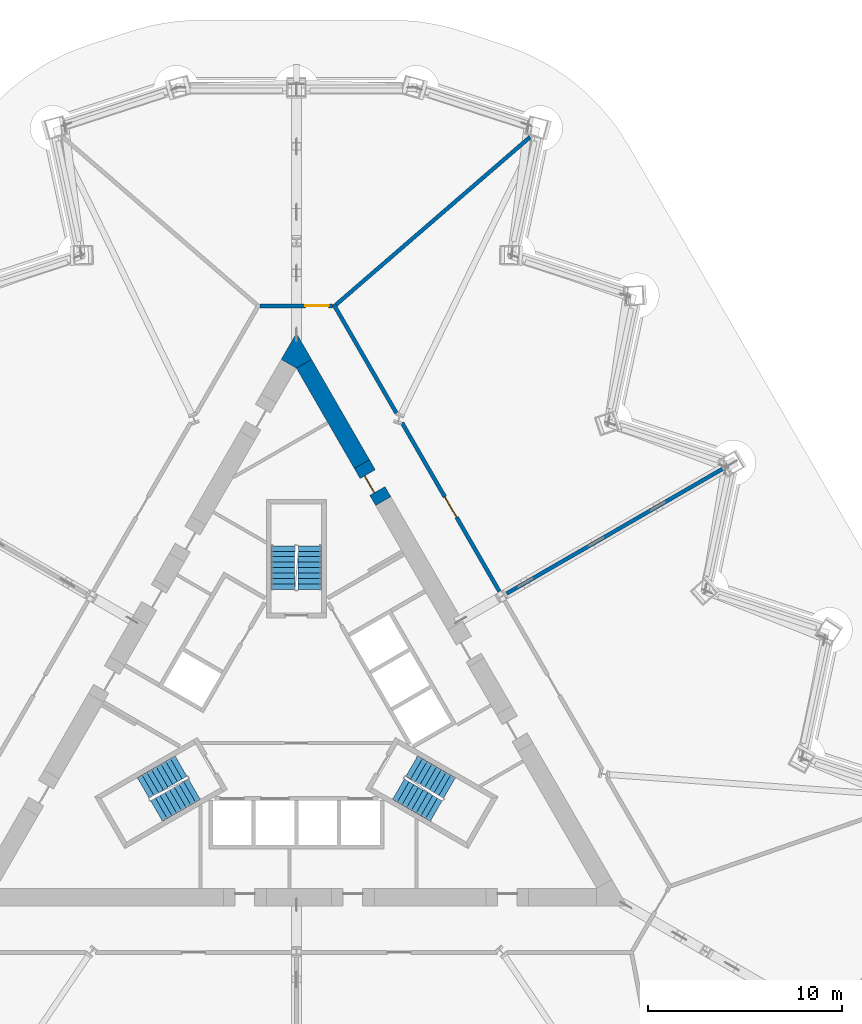
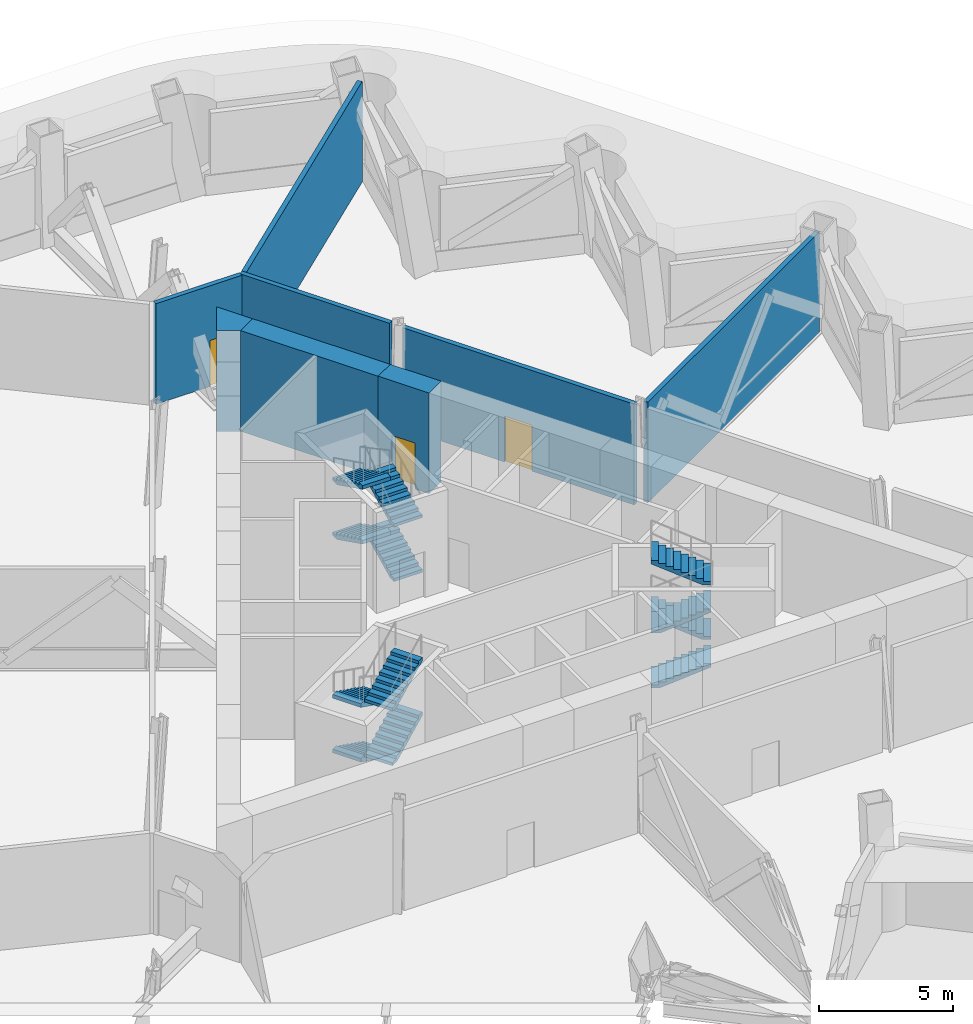
# One storey, part 7 of 14: 12 stair flights, 8 walls, 3 doors, 3 openings, 3 elements without a shape of their own.
"""IFC4 building model written with IfcOpenShell, lengths in metres."""

from ifc_helpers import new_model, si_unit, direction, frame, frame_2d, origin, place, context, subcontext, project, spatial, polyline, rectangle, outline, extrude, material, layer, layer_set, type_object, element, fill, aggregate, save


model = new_model("IFC4")

# Units and contexts
model_context = context("Model", 3, precision=1e-05, world=origin(), true_north=direction((0.0, 1.0)))
body_context = subcontext(model_context, "Body", "Model", "MODEL_VIEW")
ifc_project = project(units=[si_unit("LENGTHUNIT", "METRE"), si_unit("AREAUNIT", "SQUARE_METRE"), si_unit("VOLUMEUNIT", "CUBIC_METRE"), si_unit("PLANEANGLEUNIT", "RADIAN"), si_unit("MASSUNIT", "GRAM", prefix="KILO")], contexts=[model_context])

# Site, building, storey
site_placement = place(None, origin())
site = spatial("IfcSite", under=ifc_project, at=site_placement, CompositionType="ELEMENT")
building_placement = place(site_placement, origin())
building = spatial("IfcBuilding", under=site, at=building_placement, Name="Cormorant Prow Tower", CompositionType="ELEMENT")
storey_placement = place(building_placement, frame((0.0, 0.0, 94.60009765625)))
storey = spatial("IfcBuildingStorey", under=building, at=storey_placement, Name="L19", CompositionType="ELEMENT", Elevation=94.60009765625)

# Walls
ifc_material_1 = material(Name="Concrete 8000 psi", Category="concrete")
ifc_layer_1 = layer(ifc_material_1, 0.89990234375)
ifc_layer_set_1 = layer_set([ifc_layer_1], Name="Concrete 8000 psi")
wall_type_1 = type_object("IfcWallType", Name="Core shear wall 900", PredefinedType="SHEAR", material=ifc_layer_set_1)
wall_1_placement = place(storey_placement, frame((3.365478515625, 12.900390625, 0.0), z_axis=(0.0, 0.0, 1.0), x_axis=(-0.499981657175, 0.86603599376, 0.0)))
element("IfcWall", 1, at=wall_1_placement, inside=storey, type_object=wall_type_1, Name="Core wall", PredefinedType="SHEAR", context=body_context, shape_type="SweptSolid", body=[
    extrude(rectangle(XDim=5.951904296875, YDim=0.89990234375, at=frame_2d((2.97607421875, 0.0))), origin(), (0.0, 0.0, 1.0), 4.599853515625),
])
wall_2_placement = place(storey_placement, origin())
element("IfcWall", 2, at=wall_2_placement, inside=storey, type_object=wall_type_1, Name="Core wall corner", PredefinedType="SHEAR", context=body_context, shape_type="SweptSolid", body=[
    extrude(outline(polyline([(-0.779296875, 18.27978515625), (0.0, 19.6298828125), (0.779296875, 18.27978515625), (0.0, 17.829833984375), (-0.779296875, 18.27978515625)])), origin(), (0.0, 0.0, 1.0), 4.599853515625),
])

# Wall, opening, door
wall_3_placement = place(storey_placement, frame((4.465576171875, 10.995361328125, 0.0), z_axis=(0.0, 0.0, 1.0), x_axis=(-0.500077893725, 0.86598042715, 0.0)))
wall_3 = element("IfcWall", 3, at=wall_3_placement, inside=storey, type_object=wall_type_1, Name="Core wall door panel", PredefinedType="SHEAR", context=body_context, shape_type="SweptSolid", body=[
    extrude(rectangle(XDim=2.199951171875, YDim=0.89990234375, at=frame_2d((1.10009765625, 0.0))), origin(), (0.0, 0.0, 1.0), 4.599853515625),
])
opening_1_placement = place(wall_3_placement, frame((0.60009765625, 0.0, 0.0)))
opening_1 = element("IfcOpeningElement", 4, at=opening_1_placement, cuts=wall_3, Name="Opening L19-C18", PredefinedType="OPENING", context=body_context, shape_type="SweptSolid", body=[
    extrude(rectangle(XDim=1.0, YDim=2.10009765625, at=frame_2d((0.5, 1.050048828125))), frame((0.0, 0.4599609375, 0.0), z_axis=(0.0, -1.0, 0.0), x_axis=(1.0, 0.0, 0.0)), (0.0, 0.0, 1.0), 0.919921875),
])
ifc_material_2 = material(Name="Painted steel", Category="steel")
door_type_1 = type_object("IfcDoorType", Name="Service door 1000x2100", OperationType="NOTDEFINED", PredefinedType="DOOR", material=ifc_material_2)
door_1_placement = place(opening_1_placement, origin())
door_1 = element("IfcDoor", 5, at=door_1_placement, inside=storey, type_object=door_type_1, Name="Core door, Plant maintenance store", OperationType="SINGLE_SWING_LEFT", OverallHeight=2.10009765625, OverallWidth=1.0, PredefinedType="DOOR", context=body_context, shape_type="SweptSolid", body=[
    extrude(rectangle(XDim=1.0, YDim=2.10009765625, at=frame_2d((0.5, 1.050048828125))), frame((0.0, 0.205078125, 0.0), z_axis=(0.0, -1.0, 0.0), x_axis=(1.0, 0.0, 0.0)), (0.0, 0.0, 1.0), 0.050048828125),
])
fill(opening_1, door_1)

ifc_material_3 = material(Name="Gypsum board corridor wall")
ifc_layer_2 = layer(ifc_material_3, 0.199951171875)
ifc_layer_set_2 = layer_set([ifc_layer_2], Name="Gypsum board corridor wall")
wall_type_2 = type_object("IfcWallType", Name="Corridor wall 200", PredefinedType="PARTITIONING", material=ifc_layer_set_2)
wall_4_placement = place(storey_placement, frame((5.42919921875, 15.0263671875, 0.0), z_axis=(0.0, 0.0, 1.0), x_axis=(0.50001002959, -0.86601961312, 0.0)))
wall_4 = element("IfcWall", 6, at=wall_4_placement, inside=storey, type_object=wall_type_2, Name="Corridor wall", PredefinedType="PARTITIONING", context=body_context, shape_type="SweptSolid", body=[
    extrude(rectangle(XDim=10.018798828125, YDim=0.199951171875, at=frame_2d((5.00927734375, 0.0))), origin(), (0.0, 0.0, 1.0), 4.599853515625),
])
opening_2_placement = place(wall_4_placement, frame((4.409423828125, 0.0, 0.0)))
opening_2 = element("IfcOpeningElement", 7, at=opening_2_placement, cuts=wall_4, Name="Opening L19-F08", PredefinedType="OPENING", context=body_context, shape_type="SweptSolid", body=[
    extrude(rectangle(XDim=1.199951171875, YDim=2.10009765625, at=frame_2d((0.60009765625, 1.050048828125))), frame((0.0, 0.10986328125, 0.0), z_axis=(0.0, -1.0, 0.0), x_axis=(1.0, 0.0, 0.0)), (0.0, 0.0, 1.0), 0.219970703125),
])
ifc_material_4 = material(Name="Timber door leaf", Category="wood")
door_type_2 = type_object("IfcDoorType", Name="Plant room door 1200x2100", OperationType="NOTDEFINED", PredefinedType="DOOR", material=ifc_material_4)
door_2_placement = place(opening_2_placement, origin())
door_2 = element("IfcDoor", 8, at=door_2_placement, inside=storey, type_object=door_type_2, Name="Pump and tank room door", OperationType="SINGLE_SWING_RIGHT", OverallHeight=2.10009765625, OverallWidth=1.199951171875, PredefinedType="DOOR", context=body_context, shape_type="SweptSolid", body=[
    extrude(rectangle(XDim=1.199951171875, YDim=2.10009765625, at=frame_2d((0.60009765625, 1.050048828125))), frame((0.0, 0.02490234375, 0.0), z_axis=(0.0, -1.0, 0.0), x_axis=(1.0, 0.0, 0.0)), (0.0, 0.0, 1.0), 0.050048828125),
])
fill(opening_2, door_2)

# Wall
wall_5_placement = place(storey_placement, frame((1.9130859375, 21.116455078125, 0.0), z_axis=(0.0, 0.0, 1.0), x_axis=(0.500001069878, -0.866024786089, 0.0)))
element("IfcWall", 9, at=wall_5_placement, inside=storey, type_object=wall_type_2, Name="Corridor wall", PredefinedType="PARTITIONING", context=body_context, shape_type="SweptSolid", body=[
    extrude(rectangle(XDim=6.47265625, YDim=0.199951171875, at=frame_2d((3.236328125, 0.0))), origin(), (0.0, 0.0, 1.0), 4.599853515625),
])

# Wall, opening, door
wall_6_placement = place(storey_placement, frame((-1.863037109375, 21.02978515625, 0.0), z_axis=(0.0, 0.0, 1.0), x_axis=(1.0, 0.0, 0.0)))
wall_6 = element("IfcWall", 10, at=wall_6_placement, inside=storey, type_object=wall_type_2, Name="Corridor wall", PredefinedType="PARTITIONING", context=body_context, shape_type="SweptSolid", body=[
    extrude(rectangle(XDim=3.72607421875, YDim=0.199951171875, at=frame_2d((1.863037109375, 0.0))), origin(), (0.0, 0.0, 1.0), 4.599853515625),
])
opening_3_placement = place(wall_6_placement, frame((2.324951171875, 0.0, 0.0)))
opening_3 = element("IfcOpeningElement", 11, at=opening_3_placement, cuts=wall_6, Name="Opening L19-F09", PredefinedType="OPENING", context=body_context, shape_type="SweptSolid", body=[
    extrude(rectangle(XDim=1.199951171875, YDim=2.10009765625, at=frame_2d((0.60009765625, 1.050048828125))), frame((0.0, 0.10986328125, 0.0), z_axis=(0.0, -1.0, 0.0), x_axis=(1.0, 0.0, 0.0)), (0.0, 0.0, 1.0), 0.219970703125),
])
door_3_placement = place(opening_3_placement, origin())
door_3 = element("IfcDoor", 12, at=door_3_placement, inside=storey, type_object=door_type_2, Name="Electrical switch room door", OperationType="SINGLE_SWING_RIGHT", OverallHeight=2.10009765625, OverallWidth=1.199951171875, PredefinedType="DOOR", context=body_context, shape_type="SweptSolid", body=[
    extrude(rectangle(XDim=1.199951171875, YDim=2.10009765625, at=frame_2d((0.60009765625, 1.050048828125))), frame((0.0, 0.02490234375, 0.0), z_axis=(0.0, -1.0, 0.0), x_axis=(1.0, 0.0, 0.0)), (0.0, 0.0, 1.0), 0.050048828125),
])
fill(opening_3, door_3)

# Walls
ifc_material_5 = material(Name="Gypsum board demising wall")
ifc_layer_3 = layer(ifc_material_5, 0.199951171875)
ifc_layer_set_3 = layer_set([ifc_layer_3], Name="Gypsum board demising wall")
wall_type_3 = type_object("IfcWallType", Name="Demising wall 200", PredefinedType="PARTITIONING", material=ifc_layer_set_3)
wall_7_placement = place(storey_placement, frame((2.038818359375, 21.09521484375, 0.0), z_axis=(0.0, 0.0, 1.0), x_axis=(0.756656024203, 0.653813169826, 0.0)))
element("IfcWall", 13, at=wall_7_placement, inside=storey, type_object=wall_type_3, Name="Demising wall", PredefinedType="PARTITIONING", context=body_context, shape_type="SweptSolid", body=[
    extrude(rectangle(XDim=13.184814453125, YDim=0.199951171875, at=frame_2d((6.59228515625, 0.0))), origin(), (0.0, 0.0, 1.0), 4.599853515625),
])
wall_8_placement = place(storey_placement, frame((10.82080078125, 6.247314453125, 0.0), z_axis=(0.0, 0.0, 1.0), x_axis=(0.866026729935, 0.499997703033, 0.0)))
element("IfcWall", 14, at=wall_8_placement, inside=storey, type_object=wall_type_3, Name="Demising wall", PredefinedType="PARTITIONING", context=body_context, shape_type="SweptSolid", body=[
    extrude(rectangle(XDim=12.84765625, YDim=0.199951171875, at=frame_2d((6.423828125, 0.0))), origin(), (0.0, 0.0, 1.0), 4.599853515625),
])

# Stair, stair flights
ifc_material_6 = material(Name="Exit stair 36 risers")
stair_type = type_object("IfcStairType", Name="Exit stair 36 risers", PredefinedType="HALF_TURN_STAIR", material=ifc_material_6)
stair_1_placement = place(storey_placement, origin())
stair_1 = element("IfcStair", 15, at=stair_1_placement, inside=storey, type_object=stair_type, Name="L19 Exit stair ST1", PredefinedType="HALF_TURN_STAIR")
ifc_material_7 = material(Name="Concrete 5000 psi", Category="concrete")
stair_flight_type = type_object("IfcStairFlightType", Name="Stair flight 1219", PredefinedType="STRAIGHT", material=ifc_material_7)
stair_flight_1_placement = place(storey_placement, frame((-5.93310546875, -2.635009765625, 0.0), z_axis=(0.0, 0.0, 1.0), x_axis=(-0.866025403784, -0.5, 0.0)))
stair_flight_1 = element("IfcStairFlight", 16, at=stair_flight_1_placement, type_object=stair_flight_type, Name="ST1 flight 1", NumberOfRisers=9, NumberOfTreads=8, PredefinedType="STRAIGHT", RiserHeight=0.138888889, TreadLength=0.28, context=body_context, shape_type="SweptSolid", body=[
    extrude(outline(polyline([(0.0, 0.0), (0.0, 0.138916015625), (0.280029296875, 0.138916015625), (0.280029296875, 0.27783203125), (0.56005859375, 0.27783203125), (0.56005859375, 0.416748046875), (0.840087890625, 0.416748046875), (0.840087890625, 0.5556640625), (1.1201171875, 0.5556640625), (1.1201171875, 0.6943359375), (1.39990234375, 0.6943359375), (1.39990234375, 0.833251953125), (1.679931640625, 0.833251953125), (1.679931640625, 0.97216796875), (1.9599609375, 0.97216796875), (1.9599609375, 1.111083984375), (2.239990234375, 1.111083984375), (2.239990234375, 1.25), (2.239990234375, 0.94384765625), (0.33740234375, 0.0), (0.0, 0.0)])), frame((0.0, 0.609375, 0.0), z_axis=(0.0, -1.0, 0.0), x_axis=(1.0, 0.0, 0.0)), (0.0, 0.0, 1.0), 1.218994140625),
])
stair_flight_2_placement = place(storey_placement, frame((-7.1884765625, -4.940673828125, 1.25), z_axis=(0.0, 0.0, 1.0), x_axis=(0.866025403784, 0.5, 0.0)))
stair_flight_2 = element("IfcStairFlight", 17, at=stair_flight_2_placement, type_object=stair_flight_type, Name="ST1 flight 2", NumberOfRisers=9, NumberOfTreads=8, PredefinedType="STRAIGHT", RiserHeight=0.138888889, TreadLength=0.28, context=body_context, shape_type="SweptSolid", body=[
    extrude(outline(polyline([(0.0, 0.0), (0.0, 0.138916015625), (0.280029296875, 0.138916015625), (0.280029296875, 0.27783203125), (0.56005859375, 0.27783203125), (0.56005859375, 0.416748046875), (0.840087890625, 0.416748046875), (0.840087890625, 0.5556640625), (1.1201171875, 0.5556640625), (1.1201171875, 0.6943359375), (1.39990234375, 0.6943359375), (1.39990234375, 0.833251953125), (1.679931640625, 0.833251953125), (1.679931640625, 0.97216796875), (1.9599609375, 0.97216796875), (1.9599609375, 1.111083984375), (2.239990234375, 1.111083984375), (2.239990234375, 1.25), (2.239990234375, 0.94384765625), (0.33740234375, 0.0), (0.0, 0.0)])), frame((0.0, 0.609375, 0.0), z_axis=(0.0, -1.0, 0.0), x_axis=(1.0, 0.0, 0.0)), (0.0, 0.0, 1.0), 1.218994140625),
])
stair_flight_3_placement = place(storey_placement, frame((-5.93310546875, -2.635009765625, 2.5), z_axis=(0.0, 0.0, 1.0), x_axis=(-0.866025403784, -0.5, 0.0)))
stair_flight_3 = element("IfcStairFlight", 18, at=stair_flight_3_placement, type_object=stair_flight_type, Name="ST1 flight 3", NumberOfRisers=9, NumberOfTreads=8, PredefinedType="STRAIGHT", RiserHeight=0.138888889, TreadLength=0.28, context=body_context, shape_type="SweptSolid", body=[
    extrude(outline(polyline([(0.0, 0.0), (0.0, 0.138916015625), (0.280029296875, 0.138916015625), (0.280029296875, 0.27783203125), (0.56005859375, 0.27783203125), (0.56005859375, 0.416748046875), (0.840087890625, 0.416748046875), (0.840087890625, 0.5556640625), (1.1201171875, 0.5556640625), (1.1201171875, 0.6943359375), (1.39990234375, 0.6943359375), (1.39990234375, 0.833251953125), (1.679931640625, 0.833251953125), (1.679931640625, 0.97216796875), (1.9599609375, 0.97216796875), (1.9599609375, 1.111083984375), (2.239990234375, 1.111083984375), (2.239990234375, 1.25), (2.239990234375, 0.94384765625), (0.33740234375, 0.0), (0.0, 0.0)])), frame((0.0, 0.609375, 0.0), z_axis=(0.0, -1.0, 0.0), x_axis=(1.0, 0.0, 0.0)), (0.0, 0.0, 1.0), 1.218994140625),
])
stair_flight_4_placement = place(storey_placement, frame((-7.1884765625, -4.940673828125, 3.75), z_axis=(0.0, 0.0, 1.0), x_axis=(0.866025403784, 0.5, 0.0)))
stair_flight_4 = element("IfcStairFlight", 19, at=stair_flight_4_placement, type_object=stair_flight_type, Name="ST1 flight 4", NumberOfRisers=9, NumberOfTreads=8, PredefinedType="STRAIGHT", RiserHeight=0.138888889, TreadLength=0.28, context=body_context, shape_type="SweptSolid", body=[
    extrude(outline(polyline([(0.0, 0.0), (0.0, 0.138916015625), (0.280029296875, 0.138916015625), (0.280029296875, 0.27783203125), (0.56005859375, 0.27783203125), (0.56005859375, 0.416748046875), (0.840087890625, 0.416748046875), (0.840087890625, 0.5556640625), (1.1201171875, 0.5556640625), (1.1201171875, 0.6943359375), (1.39990234375, 0.6943359375), (1.39990234375, 0.833251953125), (1.679931640625, 0.833251953125), (1.679931640625, 0.97216796875), (1.9599609375, 0.97216796875), (1.9599609375, 1.111083984375), (2.239990234375, 1.111083984375), (2.239990234375, 1.25), (2.239990234375, 0.94384765625), (0.33740234375, 0.0), (0.0, 0.0)])), frame((0.0, 0.609375, 0.0), z_axis=(0.0, -1.0, 0.0), x_axis=(1.0, 0.0, 0.0)), (0.0, 0.0, 1.0), 1.218994140625),
])
aggregate(stair_1, [stair_flight_1, stair_flight_2, stair_flight_3, stair_flight_4])

stair_2_placement = place(storey_placement, origin())
stair_2 = element("IfcStair", 20, at=stair_2_placement, inside=storey, type_object=stair_type, Name="L19 Exit stair ST2", PredefinedType="HALF_TURN_STAIR")
stair_flight_5_placement = place(storey_placement, frame((5.24853515625, -3.82080078125, 0.0), z_axis=(0.0, 0.0, 1.0), x_axis=(0.866025403784, -0.5, 0.0)))
stair_flight_5 = element("IfcStairFlight", 21, at=stair_flight_5_placement, type_object=stair_flight_type, Name="ST2 flight 1", NumberOfRisers=9, NumberOfTreads=8, PredefinedType="STRAIGHT", RiserHeight=0.138888889, TreadLength=0.28, context=body_context, shape_type="SweptSolid", body=[
    extrude(outline(polyline([(0.0, 0.0), (0.0, 0.138916015625), (0.280029296875, 0.138916015625), (0.280029296875, 0.27783203125), (0.56005859375, 0.27783203125), (0.56005859375, 0.416748046875), (0.840087890625, 0.416748046875), (0.840087890625, 0.5556640625), (1.1201171875, 0.5556640625), (1.1201171875, 0.6943359375), (1.39990234375, 0.6943359375), (1.39990234375, 0.833251953125), (1.679931640625, 0.833251953125), (1.679931640625, 0.97216796875), (1.9599609375, 0.97216796875), (1.9599609375, 1.111083984375), (2.239990234375, 1.111083984375), (2.239990234375, 1.25), (2.239990234375, 0.94384765625), (0.33740234375, 0.0), (0.0, 0.0)])), frame((0.0, 0.609375, 0.0), z_axis=(0.0, -1.0, 0.0), x_axis=(1.0, 0.0, 0.0)), (0.0, 0.0, 1.0), 1.218994140625),
])
stair_flight_6_placement = place(storey_placement, frame((7.873046875, -3.755126953125, 1.25), z_axis=(0.0, 0.0, 1.0), x_axis=(-0.866025403784, 0.5, 0.0)))
stair_flight_6 = element("IfcStairFlight", 22, at=stair_flight_6_placement, type_object=stair_flight_type, Name="ST2 flight 2", NumberOfRisers=9, NumberOfTreads=8, PredefinedType="STRAIGHT", RiserHeight=0.138888889, TreadLength=0.28, context=body_context, shape_type="SweptSolid", body=[
    extrude(outline(polyline([(0.0, 0.0), (0.0, 0.138916015625), (0.280029296875, 0.138916015625), (0.280029296875, 0.27783203125), (0.56005859375, 0.27783203125), (0.56005859375, 0.416748046875), (0.840087890625, 0.416748046875), (0.840087890625, 0.5556640625), (1.1201171875, 0.5556640625), (1.1201171875, 0.6943359375), (1.39990234375, 0.6943359375), (1.39990234375, 0.833251953125), (1.679931640625, 0.833251953125), (1.679931640625, 0.97216796875), (1.9599609375, 0.97216796875), (1.9599609375, 1.111083984375), (2.239990234375, 1.111083984375), (2.239990234375, 1.25), (2.239990234375, 0.94384765625), (0.33740234375, 0.0), (0.0, 0.0)])), frame((0.0, 0.609375, 0.0), z_axis=(0.0, -1.0, 0.0), x_axis=(1.0, 0.0, 0.0)), (0.0, 0.0, 1.0), 1.218994140625),
])
stair_flight_7_placement = place(storey_placement, frame((5.24853515625, -3.82080078125, 2.5), z_axis=(0.0, 0.0, 1.0), x_axis=(0.866025403784, -0.5, 0.0)))
stair_flight_7 = element("IfcStairFlight", 23, at=stair_flight_7_placement, type_object=stair_flight_type, Name="ST2 flight 3", NumberOfRisers=9, NumberOfTreads=8, PredefinedType="STRAIGHT", RiserHeight=0.138888889, TreadLength=0.28, context=body_context, shape_type="SweptSolid", body=[
    extrude(outline(polyline([(0.0, 0.0), (0.0, 0.138916015625), (0.280029296875, 0.138916015625), (0.280029296875, 0.27783203125), (0.56005859375, 0.27783203125), (0.56005859375, 0.416748046875), (0.840087890625, 0.416748046875), (0.840087890625, 0.5556640625), (1.1201171875, 0.5556640625), (1.1201171875, 0.6943359375), (1.39990234375, 0.6943359375), (1.39990234375, 0.833251953125), (1.679931640625, 0.833251953125), (1.679931640625, 0.97216796875), (1.9599609375, 0.97216796875), (1.9599609375, 1.111083984375), (2.239990234375, 1.111083984375), (2.239990234375, 1.25), (2.239990234375, 0.94384765625), (0.33740234375, 0.0), (0.0, 0.0)])), frame((0.0, 0.609375, 0.0), z_axis=(0.0, -1.0, 0.0), x_axis=(1.0, 0.0, 0.0)), (0.0, 0.0, 1.0), 1.218994140625),
])
stair_flight_8_placement = place(storey_placement, frame((7.873046875, -3.755126953125, 3.75), z_axis=(0.0, 0.0, 1.0), x_axis=(-0.866025403784, 0.5, 0.0)))
stair_flight_8 = element("IfcStairFlight", 24, at=stair_flight_8_placement, type_object=stair_flight_type, Name="ST2 flight 4", NumberOfRisers=9, NumberOfTreads=8, PredefinedType="STRAIGHT", RiserHeight=0.138888889, TreadLength=0.28, context=body_context, shape_type="SweptSolid", body=[
    extrude(outline(polyline([(0.0, 0.0), (0.0, 0.138916015625), (0.280029296875, 0.138916015625), (0.280029296875, 0.27783203125), (0.56005859375, 0.27783203125), (0.56005859375, 0.416748046875), (0.840087890625, 0.416748046875), (0.840087890625, 0.5556640625), (1.1201171875, 0.5556640625), (1.1201171875, 0.6943359375), (1.39990234375, 0.6943359375), (1.39990234375, 0.833251953125), (1.679931640625, 0.833251953125), (1.679931640625, 0.97216796875), (1.9599609375, 0.97216796875), (1.9599609375, 1.111083984375), (2.239990234375, 1.111083984375), (2.239990234375, 1.25), (2.239990234375, 0.94384765625), (0.33740234375, 0.0), (0.0, 0.0)])), frame((0.0, 0.609375, 0.0), z_axis=(0.0, -1.0, 0.0), x_axis=(1.0, 0.0, 0.0)), (0.0, 0.0, 1.0), 1.218994140625),
])
aggregate(stair_2, [stair_flight_5, stair_flight_6, stair_flight_7, stair_flight_8])

stair_3_placement = place(storey_placement, origin())
stair_3 = element("IfcStair", 25, at=stair_3_placement, inside=storey, type_object=stair_type, Name="L19 Exit stair ST3", PredefinedType="HALF_TURN_STAIR")
stair_flight_9_placement = place(storey_placement, frame((0.6845703125, 6.455810546875, 0.0), z_axis=(0.0, 0.0, 1.0), x_axis=(0.0, 1.0, 0.0)))
stair_flight_9 = element("IfcStairFlight", 26, at=stair_flight_9_placement, type_object=stair_flight_type, Name="ST3 flight 1", NumberOfRisers=9, NumberOfTreads=8, PredefinedType="STRAIGHT", RiserHeight=0.138888889, TreadLength=0.28, context=body_context, shape_type="SweptSolid", body=[
    extrude(outline(polyline([(0.0, 0.0), (0.0, 0.138916015625), (0.280029296875, 0.138916015625), (0.280029296875, 0.27783203125), (0.56005859375, 0.27783203125), (0.56005859375, 0.416748046875), (0.840087890625, 0.416748046875), (0.840087890625, 0.5556640625), (1.1201171875, 0.5556640625), (1.1201171875, 0.6943359375), (1.39990234375, 0.6943359375), (1.39990234375, 0.833251953125), (1.679931640625, 0.833251953125), (1.679931640625, 0.97216796875), (1.9599609375, 0.97216796875), (1.9599609375, 1.111083984375), (2.239990234375, 1.111083984375), (2.239990234375, 1.25), (2.239990234375, 0.94384765625), (0.33740234375, 0.0), (0.0, 0.0)])), frame((0.0, 0.609375, 0.0), z_axis=(0.0, -1.0, 0.0), x_axis=(1.0, 0.0, 0.0)), (0.0, 0.0, 1.0), 1.218994140625),
])
stair_flight_10_placement = place(storey_placement, frame((-0.6845703125, 8.69580078125, 1.25), z_axis=(0.0, 0.0, 1.0), x_axis=(0.0, -1.0, 0.0)))
stair_flight_10 = element("IfcStairFlight", 27, at=stair_flight_10_placement, type_object=stair_flight_type, Name="ST3 flight 2", NumberOfRisers=9, NumberOfTreads=8, PredefinedType="STRAIGHT", RiserHeight=0.138888889, TreadLength=0.28, context=body_context, shape_type="SweptSolid", body=[
    extrude(outline(polyline([(0.0, 0.0), (0.0, 0.138916015625), (0.280029296875, 0.138916015625), (0.280029296875, 0.27783203125), (0.56005859375, 0.27783203125), (0.56005859375, 0.416748046875), (0.840087890625, 0.416748046875), (0.840087890625, 0.5556640625), (1.1201171875, 0.5556640625), (1.1201171875, 0.6943359375), (1.39990234375, 0.6943359375), (1.39990234375, 0.833251953125), (1.679931640625, 0.833251953125), (1.679931640625, 0.97216796875), (1.9599609375, 0.97216796875), (1.9599609375, 1.111083984375), (2.239990234375, 1.111083984375), (2.239990234375, 1.25), (2.239990234375, 0.94384765625), (0.33740234375, 0.0), (0.0, 0.0)])), frame((0.0, 0.609375, 0.0), z_axis=(0.0, -1.0, 0.0), x_axis=(1.0, 0.0, 0.0)), (0.0, 0.0, 1.0), 1.218994140625),
])
stair_flight_11_placement = place(storey_placement, frame((0.6845703125, 6.455810546875, 2.5), z_axis=(0.0, 0.0, 1.0), x_axis=(0.0, 1.0, 0.0)))
stair_flight_11 = element("IfcStairFlight", 28, at=stair_flight_11_placement, type_object=stair_flight_type, Name="ST3 flight 3", NumberOfRisers=9, NumberOfTreads=8, PredefinedType="STRAIGHT", RiserHeight=0.138888889, TreadLength=0.28, context=body_context, shape_type="SweptSolid", body=[
    extrude(outline(polyline([(0.0, 0.0), (0.0, 0.138916015625), (0.280029296875, 0.138916015625), (0.280029296875, 0.27783203125), (0.56005859375, 0.27783203125), (0.56005859375, 0.416748046875), (0.840087890625, 0.416748046875), (0.840087890625, 0.5556640625), (1.1201171875, 0.5556640625), (1.1201171875, 0.6943359375), (1.39990234375, 0.6943359375), (1.39990234375, 0.833251953125), (1.679931640625, 0.833251953125), (1.679931640625, 0.97216796875), (1.9599609375, 0.97216796875), (1.9599609375, 1.111083984375), (2.239990234375, 1.111083984375), (2.239990234375, 1.25), (2.239990234375, 0.94384765625), (0.33740234375, 0.0), (0.0, 0.0)])), frame((0.0, 0.609375, 0.0), z_axis=(0.0, -1.0, 0.0), x_axis=(1.0, 0.0, 0.0)), (0.0, 0.0, 1.0), 1.218994140625),
])
stair_flight_12_placement = place(storey_placement, frame((-0.6845703125, 8.69580078125, 3.75), z_axis=(0.0, 0.0, 1.0), x_axis=(0.0, -1.0, 0.0)))
stair_flight_12 = element("IfcStairFlight", 29, at=stair_flight_12_placement, type_object=stair_flight_type, Name="ST3 flight 4", NumberOfRisers=9, NumberOfTreads=8, PredefinedType="STRAIGHT", RiserHeight=0.138888889, TreadLength=0.28, context=body_context, shape_type="SweptSolid", body=[
    extrude(outline(polyline([(0.0, 0.0), (0.0, 0.138916015625), (0.280029296875, 0.138916015625), (0.280029296875, 0.27783203125), (0.56005859375, 0.27783203125), (0.56005859375, 0.416748046875), (0.840087890625, 0.416748046875), (0.840087890625, 0.5556640625), (1.1201171875, 0.5556640625), (1.1201171875, 0.6943359375), (1.39990234375, 0.6943359375), (1.39990234375, 0.833251953125), (1.679931640625, 0.833251953125), (1.679931640625, 0.97216796875), (1.9599609375, 0.97216796875), (1.9599609375, 1.111083984375), (2.239990234375, 1.111083984375), (2.239990234375, 1.25), (2.239990234375, 0.94384765625), (0.33740234375, 0.0), (0.0, 0.0)])), frame((0.0, 0.609375, 0.0), z_axis=(0.0, -1.0, 0.0), x_axis=(1.0, 0.0, 0.0)), (0.0, 0.0, 1.0), 1.218994140625),
])
aggregate(stair_3, [stair_flight_9, stair_flight_10, stair_flight_11, stair_flight_12])

save(model, "model.ifc")
